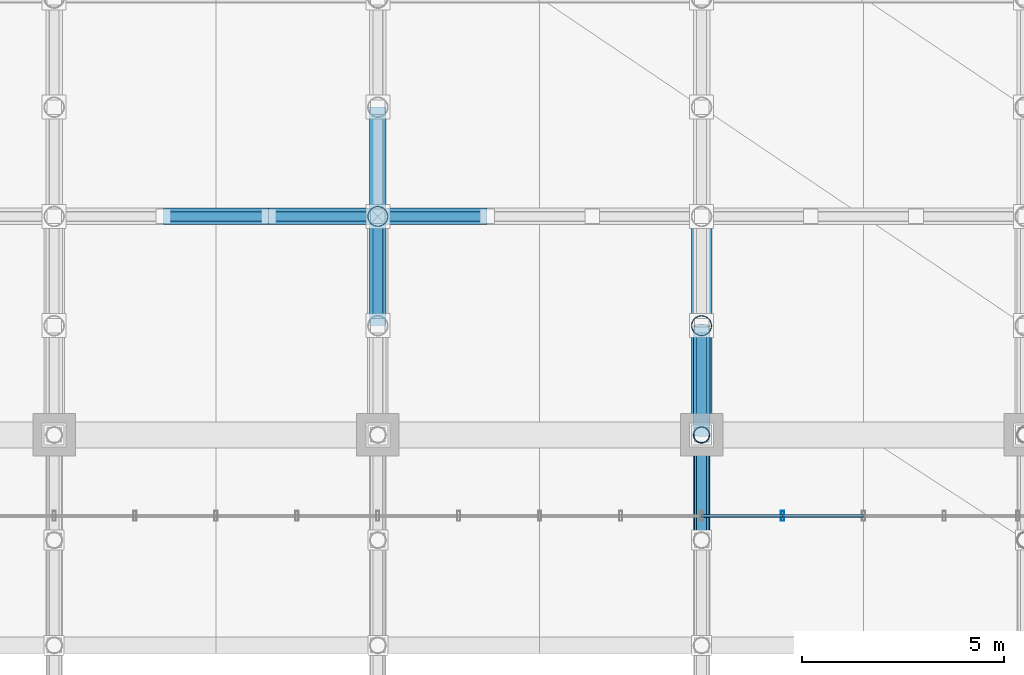
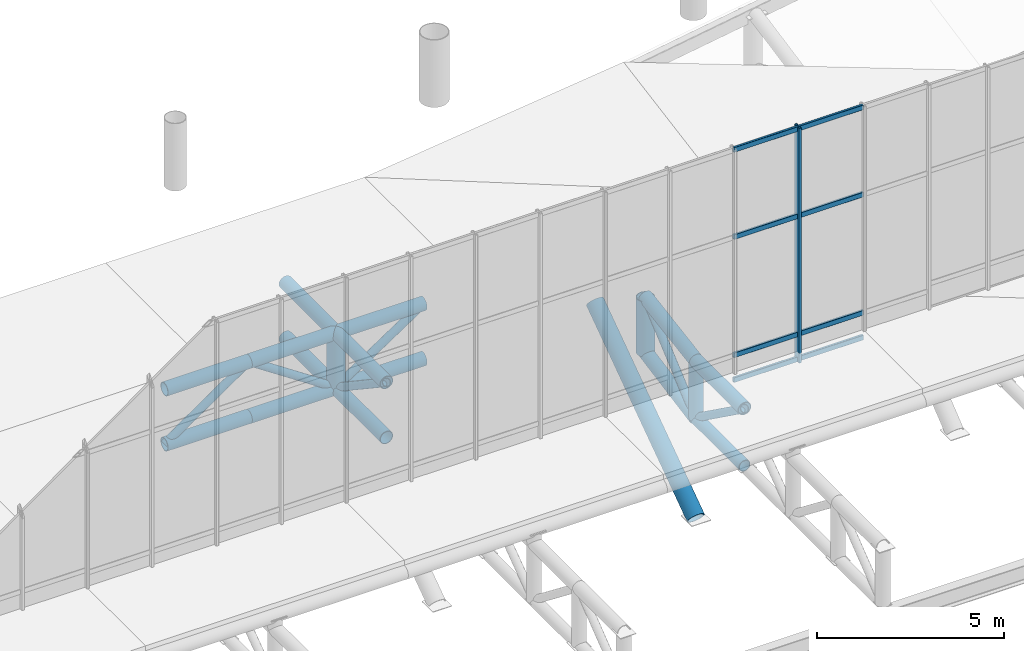
# One storey, part 53 of 137: 33 members, 1 element without a shape of its own.
"""IFC4 building model written with IfcOpenShell, lengths in metres."""

import ifcopenshell
import ifcopenshell.guid

model = None  # the IFC model being written
_history = None  # IfcOwnerHistory: only IFC2X3 demands one
_inside = {}  # id of a spatial element -> (the spatial element, [elements in it])
_under = {}  # id of a project, library or spatial element -> (it, [spatial elements below it])
_declared = {}  # id of a project -> (the project, [libraries it declares])
_typed = {}  # id of a type object -> (the type object, [elements of that type])
_made_of = {}  # id of a material, layer set ... -> (it, [elements and type objects made of it])


def new_model(schema):
    """Start an empty IFC model of exactly this schema.

    Asked for "IFC4X3", IfcOpenShell would pick the latest addendum, in which some entities
    have other attributes; the version numbers below select the first issue.
    IFC2X3 requires an IfcOwnerHistory on every rooted entity: one is made here for all.
    """
    global model, _history
    if schema == "IFC4X3":
        model = ifcopenshell.file(schema_version=(4, 3, 0, 0))
    else:
        model = ifcopenshell.file(schema=schema)
    _inside.clear()
    _under.clear()
    _declared.clear()
    _typed.clear()
    _made_of.clear()
    _history = None
    if model.schema == "IFC2X3":
        org = make("IfcOrganization", Name="unknown")
        user = make(
            "IfcPersonAndOrganization",
            ThePerson=make("IfcPerson", FamilyName="unknown"),
            TheOrganization=org,
        )
        app = make(
            "IfcApplication",
            ApplicationDeveloper=org,
            Version="unknown",
            ApplicationFullName="unknown",
            ApplicationIdentifier="unknown",
        )
        _history = make(
            "IfcOwnerHistory",
            OwningUser=user,
            OwningApplication=app,
            ChangeAction="ADDED",
            CreationDate=0,
        )
    return model


def make(cls, **values):
    """One entity of the class cls with the attributes given. An attribute that is None is left unset."""
    return model.create_entity(
        cls, **{name: value for name, value in values.items() if value is not None}
    )


def rooted(cls, **values):
    """An entity with a GlobalId (a new one), such as an element, a storey or a relation."""
    return make(cls, GlobalId=ifcopenshell.guid.new(), OwnerHistory=_history, **values)


def si_unit(unit_type, name, prefix=None):
    """IfcSIUnit, for example si_unit("LENGTHUNIT", "METRE", prefix="MILLI")."""
    return make("IfcSIUnit", UnitType=unit_type, Prefix=prefix, Name=name)


def assignment(units):
    """IfcUnitAssignment: the units of a project."""
    return None if units is None else make("IfcUnitAssignment", Units=units)


def point(xyz):
    """IfcCartesianPoint."""
    return None if xyz is None else make("IfcCartesianPoint", Coordinates=xyz)


def direction(xyz):
    """IfcDirection."""
    return None if xyz is None else make("IfcDirection", DirectionRatios=xyz)


def frame(location, z_axis=None, x_axis=None):
    """IfcAxis2Placement3D, a coordinate frame: its origin and axes. An axis left out is left unset."""
    return make(
        "IfcAxis2Placement3D",
        Location=point(location),
        Axis=direction(z_axis),
        RefDirection=direction(x_axis),
    )


def frame_2d(location, x_axis=None):
    """IfcAxis2Placement2D, a coordinate frame in the plane: its origin and x axis."""
    return make(
        "IfcAxis2Placement2D", Location=point(location), RefDirection=direction(x_axis)
    )


def origin():
    """The frame at (0, 0, 0) with its axes left unset."""
    return frame((0.0, 0.0, 0.0))


def origin_2d():
    """The frame at (0, 0) in the plane with its x axis left unset."""
    return frame_2d((0.0, 0.0))


def place(relative_to, where):
    """IfcLocalPlacement: puts the frame where relative to a parent placement (None: the world)."""
    return make(
        "IfcLocalPlacement", PlacementRelTo=relative_to, RelativePlacement=where
    )


def context(
    kind, dimensions, precision=None, world=None, true_north=None, identifier=None
):
    """IfcGeometricRepresentationContext, for example the 3D "Model" context."""
    return make(
        "IfcGeometricRepresentationContext",
        ContextIdentifier=identifier,
        ContextType=kind,
        CoordinateSpaceDimension=dimensions,
        Precision=precision,
        WorldCoordinateSystem=world,
        TrueNorth=true_north,
    )


def subcontext(parent, identifier, kind, view, scale=None):
    """IfcGeometricRepresentationSubContext, for example "Body" below "Model"."""
    return make(
        "IfcGeometricRepresentationSubContext",
        ContextIdentifier=identifier,
        ContextType=kind,
        ParentContext=parent,
        TargetScale=scale,
        TargetView=view,
    )


def project(units=None, contexts=None):
    """IfcProject with its units and contexts."""
    return rooted(
        "IfcProject",
        Name="project",
        RepresentationContexts=contexts,
        UnitsInContext=assignment(units),
    )


def spatial(cls, under=None, at=None, **own):
    """A site, building, storey or space (cls), placed at a placement, below another one or the project."""
    s = rooted(cls, ObjectPlacement=at, **own)
    if under is not None:
        _under.setdefault(under.id(), (under, []))[1].append(s)
    return s


def profile(cls, at=None, kind="AREA", **sizes):
    """A parametric profile (cls). Its sizes go by their IFC names, for example OverallWidth=200.0."""
    return make(cls, ProfileType=kind, Position=at, **sizes)


def hollow_rectangle(**sizes):
    """IfcRectangleHollowProfileDef."""
    return profile("IfcRectangleHollowProfileDef", **sizes)


def hollow_circle(**sizes):
    """IfcCircleHollowProfileDef."""
    return profile("IfcCircleHollowProfileDef", **sizes)


def extrude(swept, where, along, depth):
    """IfcExtrudedAreaSolid: the profile swept, set in the frame where, extruded along a direction by depth."""
    return make(
        "IfcExtrudedAreaSolid",
        SweptArea=swept,
        Position=where,
        ExtrudedDirection=direction(along),
        Depth=depth,
    )


def shape(context_of_items, identifier, shape_type, items):
    """IfcShapeRepresentation: the items that make up one representation, for example the "Body"."""
    return make(
        "IfcShapeRepresentation",
        ContextOfItems=context_of_items,
        RepresentationIdentifier=identifier,
        RepresentationType=shape_type,
        Items=items,
    )


def material(Name=None, Category=None):
    """IfcMaterial."""
    return make("IfcMaterial", Name=Name, Category=Category)


def layer(
    of_material, thickness, ventilated=None, Name=None, Category=None, Priority=None
):
    """IfcMaterialLayer: one layer of a wall or slab, of a material (None: an air gap)."""
    return make(
        "IfcMaterialLayer",
        Material=of_material,
        LayerThickness=thickness,
        IsVentilated=ventilated,
        Name=Name,
        Category=Category,
        Priority=Priority,
    )


def layer_set(layers, Name=None):
    """IfcMaterialLayerSet."""
    return make("IfcMaterialLayerSet", MaterialLayers=layers, LayerSetName=Name)


def material_profile(
    of_material, cross_section, Name=None, Category=None, Priority=None
):
    """IfcMaterialProfile: a cross section and its material."""
    return make(
        "IfcMaterialProfile",
        Name=Name,
        Material=of_material,
        Profile=cross_section,
        Priority=Priority,
        Category=Category,
    )


def profile_set(profiles, Name=None, composite=None):
    """IfcMaterialProfileSet."""
    return make(
        "IfcMaterialProfileSet",
        Name=Name,
        MaterialProfiles=profiles,
        CompositeProfile=composite,
    )


def made_of(thing, what):
    """Note that an element or type object is made of a material, layer set ...; save() writes the relation."""
    if what is not None:
        _made_of.setdefault(what.id(), (what, []))[1].append(thing)
    return thing


def type_object(cls, material=None, **own):
    """A type object (cls), such as IfcWallType, which elements share."""
    return made_of(rooted(cls, **own), material)


def element(
    cls,
    number,
    at=None,
    inside=None,
    cuts=None,
    type_object=None,
    material=None,
    context=None,
    identifier="Body",
    shape_type=None,
    held_by="IfcProductDefinitionShape",
    body=None,
    shapes=None,
    **own,
):
    """One element of the class cls, such as IfcWall. Its Tag is "e" and its number.

    at: its placement. inside: the storey or other place that contains it. cuts: it is an
    opening in that element (IfcRelVoidsElement). A single representation is given by context,
    identifier, shape_type and body (its items); several are given by shapes. held_by: the class
    of the entity that holds the representations. save() writes the other relations.
    """
    e = rooted(cls, Tag="e%d" % number, ObjectPlacement=at, **own)
    if body is not None:
        shapes = [shape(context, identifier, shape_type, body)]
    if shapes is not None:
        e.Representation = make(held_by, Representations=shapes)
    if inside is not None:
        _inside.setdefault(inside.id(), (inside, []))[1].append(e)
    if cuts is not None:
        rooted(
            "IfcRelVoidsElement", RelatingBuildingElement=cuts, RelatedOpeningElement=e
        )
    if type_object is not None:
        _typed.setdefault(type_object.id(), (type_object, []))[1].append(e)
    return made_of(e, material)


def aggregate(whole, parts):
    """IfcRelAggregates: a whole, such as a stair, and the parts it consists of."""
    return rooted("IfcRelAggregates", RelatingObject=whole, RelatedObjects=parts)


def save(model, path):
    """Write the relations noted so far, then the file.

    IfcRelAggregates (storeys below a building ...), IfcRelContainedInSpatialStructure (elements
    in a storey), IfcRelDefinesByType, IfcRelAssociatesMaterial and IfcRelDeclares: one each for
    every whole, place, type object, material and project.
    """
    for whole, parts in _under.values():
        aggregate(whole, parts)
    for where, things in _inside.values():
        rooted(
            "IfcRelContainedInSpatialStructure",
            RelatedElements=things,
            RelatingStructure=where,
        )
    for kind, things in _typed.values():
        rooted("IfcRelDefinesByType", RelatedObjects=things, RelatingType=kind)
    for what, things in _made_of.values():
        rooted("IfcRelAssociatesMaterial", RelatedObjects=things, RelatingMaterial=what)
    for by, libraries in _declared.values():
        rooted("IfcRelDeclares", RelatingContext=by, RelatedDefinitions=libraries)
    model.write(path)


model = new_model("IFC4")

# Units and contexts
model_context = context("Model", 3, precision=1e-05, world=origin(), true_north=direction((0.0, 1.0)))
body_context = subcontext(model_context, "Body", "Model", "MODEL_VIEW")
ifc_project = project(units=[si_unit("LENGTHUNIT", "METRE"), si_unit("AREAUNIT", "SQUARE_METRE"), si_unit("VOLUMEUNIT", "CUBIC_METRE"), si_unit("PLANEANGLEUNIT", "RADIAN"), si_unit("MASSUNIT", "GRAM", prefix="KILO")], contexts=[model_context])

# Site, building, storey
site_placement = place(None, origin())
site = spatial("IfcSite", under=ifc_project, at=site_placement, CompositionType="ELEMENT")
building_placement = place(site_placement, origin())
building = spatial("IfcBuilding", under=site, at=building_placement, Name="Khorjan Park Terminus", CompositionType="ELEMENT")
storey_placement = place(building_placement, frame((0.0, 0.0, 11.4)))
storey = spatial("IfcBuildingStorey", under=building, at=storey_placement, Name="L02", CompositionType="ELEMENT", Elevation=11.4)

# Members
ifc_material_1 = material(Name="Steel S355", Category="steel")
ifc_material_profile_1 = material_profile(ifc_material_1, hollow_circle(Radius=0.1222, WallThickness=0.0125, at=origin_2d()), Name="CHS 244.5x12.5")
ifc_profile_set_1 = profile_set([ifc_material_profile_1], Name="Steel S355")
member_type_1 = type_object("IfcMemberType", Name="MB-BR-245", PredefinedType="BRACE", material=ifc_profile_set_1)
member_1_placement = place(storey_placement, frame((104.0, 85.4, -0.05), z_axis=(0.0, 0.811830357573, -0.583893372562), x_axis=(-1.0, 0.0, 0.0)))
element("IfcMember", 1, at=member_1_placement, inside=storey, type_object=member_type_1, Name="Lower shell cantilever truss diagonal (8N)", PredefinedType="BRACE", context=body_context, shape_type="SweptSolid", body=[
    extrude(hollow_circle(Radius=0.1222, WallThickness=0.0125, at=origin_2d()), origin(), (0.0, 0.0, 1.0), 3.2026),
])
ifc_material_profile_2 = material_profile(ifc_material_1, hollow_circle(Radius=0.1222, WallThickness=0.0125, at=origin_2d()), Name="CHS 244.5x12.5")
ifc_profile_set_2 = profile_set([ifc_material_profile_2], Name="Steel S355")
member_type_2 = type_object("IfcMemberType", Name="MB-BRE-245", PredefinedType="BRACE", material=ifc_profile_set_2)
member_2_placement = place(storey_placement, frame((96.0, 90.7, 0.392), z_axis=(0.0, 0.832050294338, -0.554700196225), x_axis=(-1.0, 0.0, 0.0)))
element("IfcMember", 2, at=member_2_placement, inside=storey, type_object=member_type_2, Name="Lower shell cantilever truss diagonal (7N)", PredefinedType="BRACE", context=body_context, shape_type="SweptSolid", body=[
    extrude(hollow_circle(Radius=0.1222, WallThickness=0.0125, at=origin_2d()), origin(), (0.0, 0.0, 1.0), 3.245),
])
member_3_placement = place(storey_placement, frame((104.0, 88.0, -1.92), z_axis=(0.0, 0.759574242279, 0.650420610426), x_axis=(-1.0, 0.0, 0.0)))
element("IfcMember", 3, at=member_3_placement, inside=storey, type_object=member_type_2, Name="Lower shell cantilever truss diagonal (8N)", PredefinedType="BRACE", context=body_context, shape_type="SweptSolid", body=[
    extrude(hollow_circle(Radius=0.1222, WallThickness=0.0125, at=origin_2d()), origin(), (0.0, 0.0, 1.0), 3.5546),
])
member_4_placement = place(storey_placement, frame((90.7, 93.4, -1.408), z_axis=(0.822192191644, 0.0, 0.56920997883), x_axis=(0.0, 1.0, 0.0)))
element("IfcMember", 4, at=member_4_placement, inside=storey, type_object=member_type_2, Name="Lower shell mid-ring diagonal (N21)", PredefinedType="BRACE", context=body_context, shape_type="SweptSolid", body=[
    extrude(hollow_circle(Radius=0.1222, WallThickness=0.0125, at=origin_2d()), origin(), (0.0, 0.0, 1.0), 3.1623),
])
for number, where, z_axis, x_axis, name in (
    (5, (93.3, 93.4, 0.392), (0.832050294338, 0.0, -0.554700196225), (0.0, 1.0, 0.0), "Lower shell mid-ring diagonal (N22)"),
    (6, (96.0, 93.4, -1.408), (0.832050294338, 0.0, 0.554700196225), (0.0, 1.0, 0.0), "Lower shell mid-ring diagonal (N23)"),
):
    element("IfcMember", number, at=place(storey_placement, frame(where, z_axis=z_axis, x_axis=x_axis)), inside=storey, type_object=member_type_2, Name=name, PredefinedType="BRACE", context=body_context, shape_type="SweptSolid", body=[
        extrude(hollow_circle(Radius=0.1222, WallThickness=0.0125, at=origin_2d()), origin(), (0.0, 0.0, 1.0), 3.245),
    ])
ifc_material_profile_3 = material_profile(ifc_material_1, hollow_circle(Radius=0.1778, WallThickness=0.016, at=origin_2d()), Name="CHS 355.6x16")
ifc_profile_set_3 = profile_set([ifc_material_profile_3], Name="Steel S355")
member_type_3 = type_object("IfcMemberType", Name="MB-CH-356", PredefinedType="CHORD", material=ifc_profile_set_3)
member_5_placement = place(storey_placement, frame((104.0, 85.4, -1.92), z_axis=(0.0, 1.0, 0.0), x_axis=(-1.0, 0.0, 0.0)))
element("IfcMember", 7, at=member_5_placement, inside=storey, type_object=member_type_3, Name="Lower shell cantilever truss bottom chord (8N)", PredefinedType="CHORD", context=body_context, shape_type="SweptSolid", body=[
    extrude(hollow_circle(Radius=0.1778, WallThickness=0.016, at=origin_2d()), origin(), (0.0, 0.0, 1.0), 2.6),
])
ifc_material_profile_4 = material_profile(ifc_material_1, hollow_circle(Radius=0.2032, WallThickness=0.016, at=origin_2d()), Name="CHS 406.4x16")
ifc_profile_set_4 = profile_set([ifc_material_profile_4], Name="Steel S355")
member_type_4 = type_object("IfcMemberType", Name="MB-CH-406", PredefinedType="CHORD", material=ifc_profile_set_4)
member_6_placement = place(storey_placement, frame((104.0, 85.4, -0.05), z_axis=(0.0, 1.0, 0.0), x_axis=(-1.0, 0.0, 0.0)))
element("IfcMember", 8, at=member_6_placement, inside=storey, type_object=member_type_4, Name="Lower shell cantilever truss top chord (8N)", PredefinedType="CHORD", context=body_context, shape_type="SweptSolid", body=[
    extrude(hollow_circle(Radius=0.2032, WallThickness=0.016, at=origin_2d()), origin(), (0.0, 0.0, 1.0), 2.6),
])
ifc_material_profile_5 = material_profile(ifc_material_1, hollow_circle(Radius=0.2032, WallThickness=0.016, at=origin_2d()), Name="CHS 406.4x16")
ifc_profile_set_5 = profile_set([ifc_material_profile_5], Name="Steel S355")
member_type_5 = type_object("IfcMemberType", Name="MB-CHE-406", PredefinedType="CHORD", material=ifc_profile_set_5)
for number, where, z_axis, x_axis, name in (
    (9, (96.0, 90.7, 0.392), (0.0, 1.0, 0.0), (-1.0, 0.0, 0.0), "Lower shell cantilever truss top chord (7N)"),
    (10, (96.0, 90.7, -1.408), (0.0, 1.0, 0.0), (-1.0, 0.0, 0.0), "Lower shell cantilever truss bottom chord (7N)"),
    (11, (96.0, 93.4, 0.392), (0.0, 1.0, 0.0), (-1.0, 0.0, 0.0), "Lower shell cantilever truss top chord (7N)"),
    (12, (96.0, 93.4, -1.408), (0.0, 1.0, 0.0), (-1.0, 0.0, 0.0), "Lower shell cantilever truss bottom chord (7N)"),
):
    element("IfcMember", number, at=place(storey_placement, frame(where, z_axis=z_axis, x_axis=x_axis)), inside=storey, type_object=member_type_5, Name=name, PredefinedType="CHORD", context=body_context, shape_type="SweptSolid", body=[
        extrude(hollow_circle(Radius=0.2032, WallThickness=0.016, at=origin_2d()), origin(), (0.0, 0.0, 1.0), 2.7),
    ])
member_7_placement = place(storey_placement, frame((104.0, 88.0, -0.05), z_axis=(0.0, 0.986863989833, 0.161553290188), x_axis=(-1.0, 0.0, 0.0)))
element("IfcMember", 13, at=member_7_placement, inside=storey, type_object=member_type_5, Name="Lower shell cantilever truss top chord (8N)", PredefinedType="CHORD", context=body_context, shape_type="SweptSolid", body=[
    extrude(hollow_circle(Radius=0.2032, WallThickness=0.016, at=origin_2d()), origin(), (0.0, 0.0, 1.0), 2.7359),
])
member_8_placement = place(storey_placement, frame((104.0, 88.0, -1.92), z_axis=(0.0, 0.98249111826, 0.18630942687), x_axis=(-1.0, 0.0, 0.0)))
element("IfcMember", 14, at=member_8_placement, inside=storey, type_object=member_type_5, Name="Lower shell cantilever truss bottom chord (8N)", PredefinedType="CHORD", context=body_context, shape_type="SweptSolid", body=[
    extrude(hollow_circle(Radius=0.2032, WallThickness=0.016, at=origin_2d()), origin(), (0.0, 0.0, 1.0), 2.7481),
])
for number, where, z_axis, x_axis, name in (
    (15, (90.7, 93.4, 0.392), (1.0, 0.0, 0.0), (0.0, 1.0, 0.0), "Lower shell mid-ring top chord (N21)"),
    (16, (90.7, 93.4, -1.408), (1.0, 0.0, 0.0), (0.0, 1.0, 0.0), "Lower shell mid-ring bottom chord (N21)"),
):
    element("IfcMember", number, at=place(storey_placement, frame(where, z_axis=z_axis, x_axis=x_axis)), inside=storey, type_object=member_type_5, Name=name, PredefinedType="CHORD", context=body_context, shape_type="SweptSolid", body=[
        extrude(hollow_circle(Radius=0.2032, WallThickness=0.016, at=origin_2d()), origin(), (0.0, 0.0, 1.0), 2.6),
    ])
for number, where, z_axis, x_axis, name in (
    (17, (93.3, 93.4, 0.392), (1.0, 0.0, 0.0), (0.0, 1.0, 0.0), "Lower shell mid-ring top chord (N22)"),
    (18, (93.3, 93.4, -1.408), (1.0, 0.0, 0.0), (0.0, 1.0, 0.0), "Lower shell mid-ring bottom chord (N22)"),
    (19, (96.0, 93.4, 0.392), (1.0, 0.0, 0.0), (0.0, 1.0, 0.0), "Lower shell mid-ring top chord (N23)"),
    (20, (96.0, 93.4, -1.408), (1.0, 0.0, 0.0), (0.0, 1.0, 0.0), "Lower shell mid-ring bottom chord (N23)"),
):
    element("IfcMember", number, at=place(storey_placement, frame(where, z_axis=z_axis, x_axis=x_axis)), inside=storey, type_object=member_type_5, Name=name, PredefinedType="CHORD", context=body_context, shape_type="SweptSolid", body=[
        extrude(hollow_circle(Radius=0.2032, WallThickness=0.016, at=origin_2d()), origin(), (0.0, 0.0, 1.0), 2.7),
    ])
ifc_material_profile_6 = material_profile(ifc_material_1, hollow_circle(Radius=0.2032, WallThickness=0.016, at=origin_2d()), Name="CHS 406.4x16")
ifc_profile_set_6 = profile_set([ifc_material_profile_6], Name="Steel S355")
member_type_6 = type_object("IfcMemberType", Name="MB-ST-406", PredefinedType="STRUT", material=ifc_profile_set_6)
member_9_placement = place(storey_placement, frame((104.0, 88.0, -1.92), z_axis=(0.0, 0.0, 1.0), x_axis=(1.0, 0.0, 0.0)))
element("IfcMember", 21, at=member_9_placement, inside=storey, type_object=member_type_6, Name="Lower shell cantilever truss post (8N)", PredefinedType="STRUT", context=body_context, shape_type="SweptSolid", body=[
    extrude(hollow_circle(Radius=0.2032, WallThickness=0.016, at=origin_2d()), origin(), (0.0, 0.0, 1.0), 1.87),
])
ifc_material_profile_7 = material_profile(ifc_material_1, hollow_circle(Radius=0.254, WallThickness=0.02, at=origin_2d()), Name="CHS 508x20")
ifc_profile_set_7 = profile_set([ifc_material_profile_7], Name="Steel S355")
member_type_7 = type_object("IfcMemberType", Name="MB-STE-508", PredefinedType="STRUT", material=ifc_profile_set_7)
for number, where, z_axis, x_axis, name in (
    (22, (96.0, 93.4, -1.408), (0.0, 0.0, 1.0), (1.0, 0.0, 0.0), "Lower shell cantilever truss post (7N)"),
    (23, (104.0, 90.7, -1.408), (0.0, 0.0, 1.0), (1.0, 0.0, 0.0), "Lower shell cantilever truss post (8N)"),
):
    element("IfcMember", number, at=place(storey_placement, frame(where, z_axis=z_axis, x_axis=x_axis)), inside=storey, type_object=member_type_7, Name=name, PredefinedType="STRUT", context=body_context, shape_type="SweptSolid", body=[
        extrude(hollow_circle(Radius=0.254, WallThickness=0.02, at=origin_2d()), origin(), (0.0, 0.0, 1.0), 1.8),
    ])
member_10_placement = place(storey_placement, frame((104.0, 88.0, -5.2), z_axis=(0.0, 0.818376628533, 0.574682254703), x_axis=(-1.0, 0.0, 0.0)))
element("IfcMember", 24, at=member_10_placement, inside=storey, type_object=member_type_7, Name="Lower shell raked overhang V-strut STE-51 (8N)", PredefinedType="STRUT", context=body_context, shape_type="SweptSolid", body=[
    extrude(hollow_circle(Radius=0.254, WallThickness=0.02, at=origin_2d()), origin(), (0.0, 0.0, 1.0), 6.5984),
])

# Curtain wall, members
ifc_material_2 = material(Name="Anodized Bronze Aluminium", Category="aluminium")
ifc_layer = layer(ifc_material_2, 0.22)
ifc_layer_set = layer_set([ifc_layer], Name="Anodized Bronze Aluminium")
curtain_wall_type = type_object("IfcCurtainWallType", Name="CW-CONC-CLR", PredefinedType="NOTDEFINED", material=ifc_layer_set)
curtain_wall_placement = place(storey_placement, origin())
curtain_wall = element("IfcCurtainWall", 25, at=curtain_wall_placement, inside=storey, type_object=curtain_wall_type, Name="Unitized curtain wall CW-CL (CW-V2-N-CLR-06)", PredefinedType="NOTDEFINED")
ifc_material_profile_8 = material_profile(ifc_material_2, hollow_rectangle(XDim=0.08, YDim=0.25, WallThickness=0.005, InnerFilletRadius=0.005, OuterFilletRadius=0.01, at=origin_2d()), Name="ALM 80x250x5")
ifc_profile_set_8 = profile_set([ifc_material_profile_8], Name="Anodized Bronze Aluminium")
member_type_8 = type_object("IfcMemberType", Name="ML-ALM-250", PredefinedType="MULLION", material=ifc_profile_set_8)
member_11_placement = place(storey_placement, frame((106.0, 86.0, 0.45), z_axis=(0.0, 0.0, 1.0), x_axis=(-1.0, 0.0, 0.0)))
member_11 = element("IfcMember", 26, at=member_11_placement, type_object=member_type_8, Name="Curtain-wall mullion ML-25 (CW-V2-N-CLR-06-2)", PredefinedType="MULLION", context=body_context, shape_type="SweptSolid", body=[
    extrude(hollow_rectangle(XDim=0.08, YDim=0.25, WallThickness=0.005, InnerFilletRadius=0.005, OuterFilletRadius=0.01, at=origin_2d()), origin(), (0.0, 0.0, 1.0), 7.6669),
])
ifc_material_profile_9 = material_profile(ifc_material_2, hollow_rectangle(XDim=0.07, YDim=0.16, WallThickness=0.004, InnerFilletRadius=0.004, OuterFilletRadius=0.008, at=origin_2d()), Name="ALT 70x160x4")
ifc_profile_set_9 = profile_set([ifc_material_profile_9], Name="Anodized Bronze Aluminium")
member_type_9 = type_object("IfcMemberType", Name="TR-ALT-160", PredefinedType="USERDEFINED", material=ifc_profile_set_9)
member_12_placement = place(storey_placement, frame((108.0, 86.0, 0.525), z_axis=(-1.0, 0.0, 0.0), x_axis=(0.0, -1.0, 0.0)))
member_12 = element("IfcMember", 27, at=member_12_placement, type_object=member_type_9, Name="Curtain-wall transom TR-16 (CW-V2-N-CLR-06-1-1)", ObjectType="TRANSOM", PredefinedType="USERDEFINED", context=body_context, shape_type="SweptSolid", body=[
    extrude(hollow_rectangle(XDim=0.07, YDim=0.16, WallThickness=0.004, InnerFilletRadius=0.004, OuterFilletRadius=0.008, at=origin_2d()), origin(), (0.0, 0.0, 1.0), 2.0),
])
member_13_placement = place(storey_placement, frame((108.0, 86.0, 1.335), z_axis=(-1.0, 0.0, 0.0), x_axis=(0.0, -1.0, 0.0)))
member_13 = element("IfcMember", 28, at=member_13_placement, type_object=member_type_9, Name="Curtain-wall transom TR-16 (CW-V2-N-CLR-06-1-2)", ObjectType="TRANSOM", PredefinedType="USERDEFINED", context=body_context, shape_type="SweptSolid", body=[
    extrude(hollow_rectangle(XDim=0.07, YDim=0.16, WallThickness=0.004, InnerFilletRadius=0.004, OuterFilletRadius=0.008, at=origin_2d()), origin(), (0.0, 0.0, 1.0), 2.0),
])
member_14_placement = place(storey_placement, frame((108.0, 86.0, 5.1951), z_axis=(-1.0, 0.0, 0.0), x_axis=(0.0, -1.0, 0.0)))
member_14 = element("IfcMember", 29, at=member_14_placement, type_object=member_type_9, Name="Curtain-wall transom TR-16 (CW-V2-N-CLR-06-1-3)", ObjectType="TRANSOM", PredefinedType="USERDEFINED", context=body_context, shape_type="SweptSolid", body=[
    extrude(hollow_rectangle(XDim=0.07, YDim=0.16, WallThickness=0.004, InnerFilletRadius=0.004, OuterFilletRadius=0.008, at=origin_2d()), origin(), (0.0, 0.0, 1.0), 2.0),
])
member_15_placement = place(storey_placement, frame((108.0, 86.0, 8.0419), z_axis=(-1.0, 0.0, 0.0), x_axis=(0.0, -1.0, 0.0)))
member_15 = element("IfcMember", 30, at=member_15_placement, type_object=member_type_9, Name="Curtain-wall transom TR-16 (CW-V2-N-CLR-06-1-4)", ObjectType="TRANSOM", PredefinedType="USERDEFINED", context=body_context, shape_type="SweptSolid", body=[
    extrude(hollow_rectangle(XDim=0.07, YDim=0.16, WallThickness=0.004, InnerFilletRadius=0.004, OuterFilletRadius=0.008, at=origin_2d()), origin(), (0.0, 0.0, 1.0), 2.0),
])
member_16_placement = place(storey_placement, frame((106.0, 86.0, 0.525), z_axis=(-1.0, 0.0, 0.0), x_axis=(0.0, -1.0, 0.0)))
member_16 = element("IfcMember", 31, at=member_16_placement, type_object=member_type_9, Name="Curtain-wall transom TR-16 (CW-V2-N-CLR-06-2-1)", ObjectType="TRANSOM", PredefinedType="USERDEFINED", context=body_context, shape_type="SweptSolid", body=[
    extrude(hollow_rectangle(XDim=0.07, YDim=0.16, WallThickness=0.004, InnerFilletRadius=0.004, OuterFilletRadius=0.008, at=origin_2d()), origin(), (0.0, 0.0, 1.0), 2.0),
])
member_17_placement = place(storey_placement, frame((106.0, 86.0, 1.335), z_axis=(-1.0, 0.0, 0.0), x_axis=(0.0, -1.0, 0.0)))
member_17 = element("IfcMember", 32, at=member_17_placement, type_object=member_type_9, Name="Curtain-wall transom TR-16 (CW-V2-N-CLR-06-2-2)", ObjectType="TRANSOM", PredefinedType="USERDEFINED", context=body_context, shape_type="SweptSolid", body=[
    extrude(hollow_rectangle(XDim=0.07, YDim=0.16, WallThickness=0.004, InnerFilletRadius=0.004, OuterFilletRadius=0.008, at=origin_2d()), origin(), (0.0, 0.0, 1.0), 2.0),
])
member_18_placement = place(storey_placement, frame((106.0, 86.0, 5.1951), z_axis=(-1.0, 0.0, 0.0), x_axis=(0.0, -1.0, 0.0)))
member_18 = element("IfcMember", 33, at=member_18_placement, type_object=member_type_9, Name="Curtain-wall transom TR-16 (CW-V2-N-CLR-06-2-3)", ObjectType="TRANSOM", PredefinedType="USERDEFINED", context=body_context, shape_type="SweptSolid", body=[
    extrude(hollow_rectangle(XDim=0.07, YDim=0.16, WallThickness=0.004, InnerFilletRadius=0.004, OuterFilletRadius=0.008, at=origin_2d()), origin(), (0.0, 0.0, 1.0), 2.0),
])
member_19_placement = place(storey_placement, frame((106.0, 86.0, 8.0419), z_axis=(-1.0, 0.0, 0.0), x_axis=(0.0, -1.0, 0.0)))
member_19 = element("IfcMember", 34, at=member_19_placement, type_object=member_type_9, Name="Curtain-wall transom TR-16 (CW-V2-N-CLR-06-2-4)", ObjectType="TRANSOM", PredefinedType="USERDEFINED", context=body_context, shape_type="SweptSolid", body=[
    extrude(hollow_rectangle(XDim=0.07, YDim=0.16, WallThickness=0.004, InnerFilletRadius=0.004, OuterFilletRadius=0.008, at=origin_2d()), origin(), (0.0, 0.0, 1.0), 2.0),
])
aggregate(curtain_wall, [member_11, member_12, member_13, member_14, member_15, member_16, member_17, member_18, member_19])

save(model, "model.ifc")
